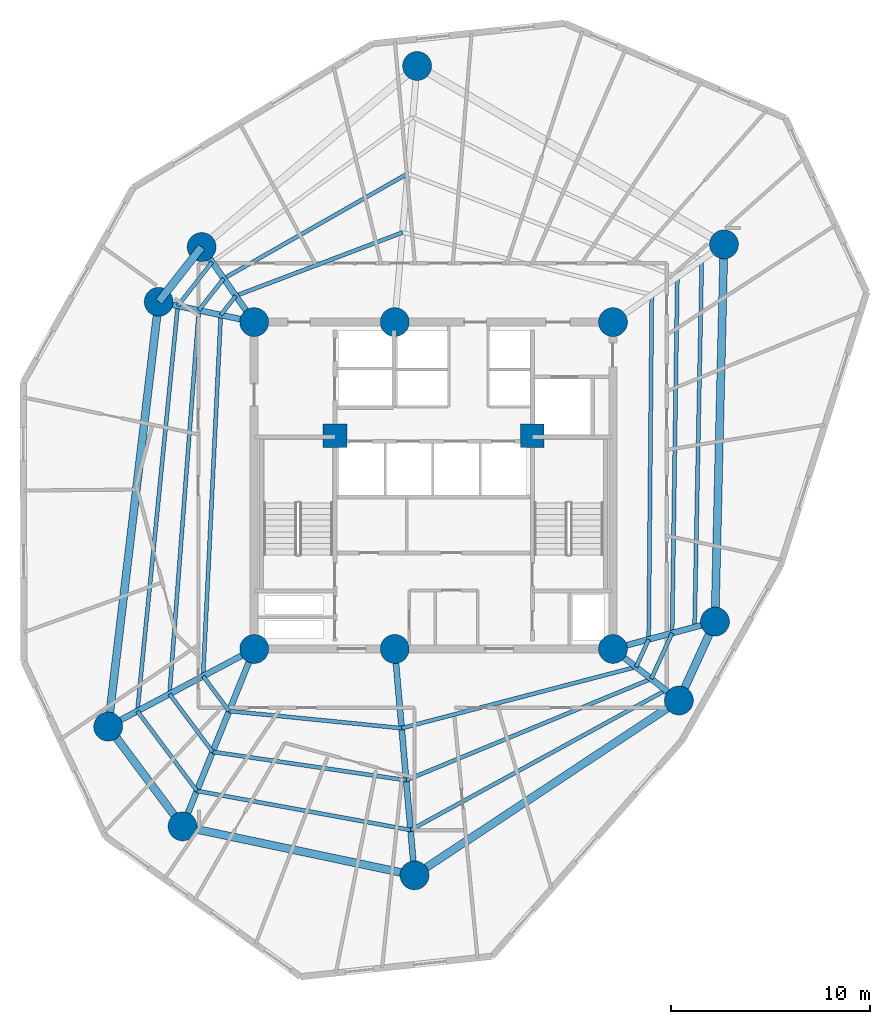
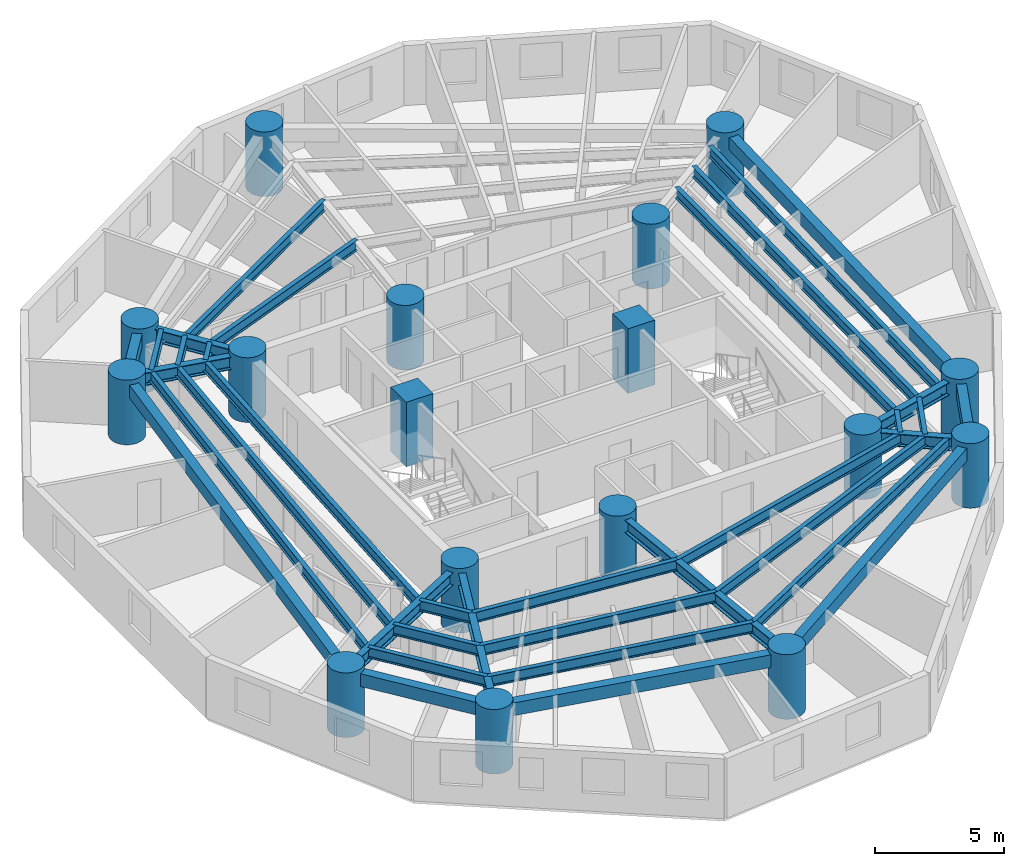
# One storey, part 1 of 8: 36 beams, 17 columns.
"""IFC4 building model written with IfcOpenShell, lengths in metres."""

from ifc_helpers import new_model, si_unit, direction, frame, origin, origin_with_axes, origin_2d, place, context, subcontext, project, spatial, rectangle, circle, i_section, extrude, source, transform, mapped, material, material_profile, profile_set, type_object, element, save


model = new_model("IFC4")

# Units and contexts
model_context = context("Model", 3, precision=1e-05, world=origin(), true_north=direction((0.0, 1.0)))
body_context = subcontext(model_context, "Body", "Model", "MODEL_VIEW")
ifc_project = project(units=[si_unit("LENGTHUNIT", "METRE"), si_unit("AREAUNIT", "SQUARE_METRE"), si_unit("VOLUMEUNIT", "CUBIC_METRE"), si_unit("PLANEANGLEUNIT", "RADIAN"), si_unit("MASSUNIT", "GRAM", prefix="KILO")], contexts=[model_context])

# Site, building, storey
site_placement = place(None, origin())
site = spatial("IfcSite", under=ifc_project, at=site_placement, CompositionType="ELEMENT")
building_placement = place(site_placement, origin())
building = spatial("IfcBuilding", under=site, at=building_placement, Name="Karkom Vertical University and Central Library", CompositionType="ELEMENT")
storey_placement = place(building_placement, frame((0.0, 0.0, 114.5)))
storey = spatial("IfcBuildingStorey", under=building, at=storey_placement, Name="L31", CompositionType="ELEMENT", Elevation=114.5)

# Columns
ifc_material_1 = material(Name="Concrete C50/60", Category="concrete")
ifc_material_profile_1 = material_profile(ifc_material_1, circle(Radius=0.72509765625, at=origin_2d()), Name="CFT-D1450")
ifc_profile_set_1 = profile_set([ifc_material_profile_1], Name="Concrete C50/60")
column_type_1 = type_object("IfcColumnType", Name="STR-COL-C-SC3", PredefinedType="COLUMN", material=ifc_profile_set_1)
shared_shape_1 = source(origin_with_axes(), body_context, "Body", "SweptSolid", [
    extrude(circle(Radius=0.72509765625, at=origin_2d()), origin(), (0.0, 0.0, 1.0), 3.050048828125),
])
for number, where, z_axis, x_axis, name in (
    (1, (19.5, 18.300048828125, 0.0), (0.0, 0.0, 1.0), (1.0, 0.0, 0.0), "Level 31 Spine Mega-Column SC-1"),
    (2, (26.550048828125, 18.300048828125, 0.0), (0.0, 0.0, 1.0), (1.0, 0.0, 0.0), "Level 31 Spine Mega-Column SC-2"),
    (3, (37.5, 18.300048828125, 0.0), (0.0, 0.0, 1.0), (1.0, 0.0, 0.0), "Level 31 Spine Mega-Column SC-3"),
    (4, (19.5, 34.699951171875, 0.0), (0.0, 0.0, 1.0), (1.0, 0.0, 0.0), "Level 31 Spine Mega-Column SC-4"),
    (5, (26.550048828125, 34.699951171875, 0.0), (0.0, 0.0, 1.0), (1.0, 0.0, 0.0), "Level 31 Spine Mega-Column SC-5"),
    (6, (37.5, 34.699951171875, 0.0), (0.0, 0.0, 1.0), (1.0, 0.0, 0.0), "Level 31 Spine Mega-Column SC-6"),
    (7, (42.618896484375, 19.672119140625, 0.0), (0.0, 0.0, 1.0), (1.0, 0.0, 0.0), "Level 31 Perimeter Mega-Column Z2-PC1"),
    (8, (43.070068359375, 38.60009765625, 0.0), (0.0, 0.0, 1.0), (1.0, 0.0, 0.0), "Level 31 Perimeter Mega-Column Z2-PC2"),
    (9, (27.674072265625, 47.551025390625, 0.0), (0.0, 0.0, 1.0), (1.0, 0.0, 0.0), "Level 31 Perimeter Mega-Column Z2-PC3"),
    (10, (16.862060546875, 38.468017578125, 0.0), (0.0, 0.0, 1.0), (1.0, 0.0, 0.0), "Level 31 Perimeter Mega-Column Z2-PC4"),
    (11, (14.70703125, 35.718994140625, 0.0), (0.0, 0.0, 1.0), (1.0, 0.0, 0.0), "Level 31 Perimeter Mega-Column Z2-PC5"),
    (12, (12.172119140625, 14.403076171875, 0.0), (0.0, 0.0, 1.0), (1.0, 0.0, 0.0), "Level 31 Perimeter Mega-Column Z2-PC6"),
    (13, (15.904052734375, 9.39892578125, 0.0), (0.0, 0.0, 1.0), (1.0, 0.0, 0.0), "Level 31 Perimeter Mega-Column Z2-PC7"),
    (14, (27.5439453125, 6.943115234375, 0.0), (0.0, 0.0, 1.0), (1.0, 0.0, 0.0), "Level 31 Perimeter Mega-Column Z2-PC8"),
    (15, (40.81005859375, 15.714111328125, 0.0), (0.0, 0.0, 1.0), (1.0, 0.0, 0.0), "Level 31 Perimeter Mega-Column Z2-PC9"),
):
    element("IfcColumn", number, at=place(storey_placement, frame(where, z_axis=z_axis, x_axis=x_axis)), inside=storey, type_object=column_type_1, Name=name, PredefinedType="COLUMN", context=body_context, shape_type="MappedRepresentation", body=[
        mapped(shared_shape_1, transform((0.0, 0.0, 0.0), scale=1.0)),
    ])
ifc_material_profile_2 = material_profile(ifc_material_1, rectangle(XDim=1.199951171875, YDim=1.199951171875, at=origin_2d()), Name="RC-1200x1200")
ifc_profile_set_2 = profile_set([ifc_material_profile_2], Name="Concrete C50/60")
column_type_2 = type_object("IfcColumnType", Name="STR-COL-C-CC1", PredefinedType="COLUMN", material=ifc_profile_set_2)
shared_shape_2 = source(origin_with_axes(), body_context, "Body", "SweptSolid", [
    extrude(rectangle(XDim=1.199951171875, YDim=1.199951171875, at=origin_2d()), origin(), (0.0, 0.0, 1.0), 3.050048828125),
])
for number, where, z_axis, x_axis, name in (
    (16, (23.550048828125, 29.0, 0.0), (0.0, 0.0, 1.0), (1.0, 0.0, 0.0), "Level 31 Core Node Column CC-1"),
    (17, (33.449951171875, 29.0, 0.0), (0.0, 0.0, 1.0), (1.0, 0.0, 0.0), "Level 31 Core Node Column CC-2"),
):
    element("IfcColumn", number, at=place(storey_placement, frame(where, z_axis=z_axis, x_axis=x_axis)), inside=storey, type_object=column_type_2, Name=name, PredefinedType="COLUMN", context=body_context, shape_type="MappedRepresentation", body=[
        mapped(shared_shape_2, transform((0.0, 0.0, 0.0), scale=1.0)),
    ])

# Beams
ifc_material_2 = material(Name="Precast concrete C45/55", Category="concrete")
ifc_material_profile_3 = material_profile(ifc_material_2, rectangle(XDim=0.39990234375, YDim=0.60009765625, at=origin_2d()), Name="SPB-400x600")
ifc_profile_set_3 = profile_set([ifc_material_profile_3], Name="Precast concrete C45/55")
beam_type_1 = type_object("IfcBeamType", Name="STR-BM-SP-1", PredefinedType="SPANDREL", material=ifc_profile_set_3)
shared_shape_3 = source(origin_with_axes(), body_context, "Body", "SweptSolid", [
    extrude(rectangle(XDim=0.39990234375, YDim=0.60009765625, at=origin_2d()), origin(), (0.0, 0.0, 1.0), 18.933349609375),
])
beam_1_placement = place(storey_placement, frame((42.618896484375, 19.672119140625, 2.52490234375), z_axis=(0.02382947333, 0.999716037783, 0.0), x_axis=(-0.999716037783, 0.02382947333, 0.0)))
element("IfcBeam", 18, at=beam_1_placement, inside=storey, type_object=beam_type_1, Name="Level 31 Perimeter Spandrel Beam 01", PredefinedType="SPANDREL", context=body_context, shape_type="MappedRepresentation", body=[
    mapped(shared_shape_3, transform((0.0, 0.0, 0.0), scale=1.0)),
])
shared_shape_4 = source(origin_with_axes(), body_context, "Body", "SweptSolid", [
    extrude(rectangle(XDim=0.39990234375, YDim=0.60009765625, at=origin_2d()), origin(), (0.0, 0.0, 1.0), 3.492919921875),
])
beam_2_placement = place(storey_placement, frame((16.862060546875, 38.468017578125, 2.52490234375), z_axis=(-0.616950700538, -0.787001799938, 0.0), x_axis=(0.787001799938, -0.616950700538, 0.0)))
element("IfcBeam", 19, at=beam_2_placement, inside=storey, type_object=beam_type_1, Name="Level 31 Perimeter Spandrel Beam 04", PredefinedType="SPANDREL", context=body_context, shape_type="MappedRepresentation", body=[
    mapped(shared_shape_4, transform((0.0, 0.0, 0.0), scale=1.0)),
])
shared_shape_5 = source(origin_with_axes(), body_context, "Body", "SweptSolid", [
    extrude(rectangle(XDim=0.39990234375, YDim=0.60009765625, at=origin_2d()), origin(), (0.0, 0.0, 1.0), 21.466064453125),
])
beam_3_placement = place(storey_placement, frame((14.70703125, 35.718994140625, 2.52490234375), z_axis=(-0.118088996795, -0.993003015522, 0.0), x_axis=(0.993003015522, -0.118088996795, 0.0)))
element("IfcBeam", 20, at=beam_3_placement, inside=storey, type_object=beam_type_1, Name="Level 31 Perimeter Spandrel Beam 05", PredefinedType="SPANDREL", context=body_context, shape_type="MappedRepresentation", body=[
    mapped(shared_shape_5, transform((0.0, 0.0, 0.0), scale=1.0)),
])
shared_shape_6 = source(origin_with_axes(), body_context, "Body", "SweptSolid", [
    extrude(rectangle(XDim=0.39990234375, YDim=0.60009765625, at=origin_2d()), origin(), (0.0, 0.0, 1.0), 6.242431640625),
])
beam_4_placement = place(storey_placement, frame((12.172119140625, 14.403076171875, 2.52490234375), z_axis=(0.59782643552, -0.801625569074, 0.0), x_axis=(0.801625569074, 0.59782643552, 0.0)))
element("IfcBeam", 21, at=beam_4_placement, inside=storey, type_object=beam_type_1, Name="Level 31 Perimeter Spandrel Beam 06", PredefinedType="SPANDREL", context=body_context, shape_type="MappedRepresentation", body=[
    mapped(shared_shape_6, transform((0.0, 0.0, 0.0), scale=1.0)),
])
shared_shape_7 = source(origin_with_axes(), body_context, "Body", "SweptSolid", [
    extrude(rectangle(XDim=0.39990234375, YDim=0.60009765625, at=origin_2d()), origin(), (0.0, 0.0, 1.0), 11.896240234375),
])
beam_5_placement = place(storey_placement, frame((15.904052734375, 9.39892578125, 2.52490234375), z_axis=(0.978459762135, -0.206437627101, 0.0), x_axis=(0.206437627101, 0.978459762135, 0.0)))
element("IfcBeam", 22, at=beam_5_placement, inside=storey, type_object=beam_type_1, Name="Level 31 Perimeter Spandrel Beam 07", PredefinedType="SPANDREL", context=body_context, shape_type="MappedRepresentation", body=[
    mapped(shared_shape_7, transform((0.0, 0.0, 0.0), scale=1.0)),
])
shared_shape_8 = source(origin_with_axes(), body_context, "Body", "SweptSolid", [
    extrude(rectangle(XDim=0.39990234375, YDim=0.60009765625, at=origin_2d()), origin(), (0.0, 0.0, 1.0), 15.903564453125),
])
beam_6_placement = place(storey_placement, frame((27.5439453125, 6.943115234375, 2.52490234375), z_axis=(0.834165069331, 0.551514856652, 0.0), x_axis=(-0.551514856652, 0.834165069331, 0.0)))
element("IfcBeam", 23, at=beam_6_placement, inside=storey, type_object=beam_type_1, Name="Level 31 Perimeter Spandrel Beam 08", PredefinedType="SPANDREL", context=body_context, shape_type="MappedRepresentation", body=[
    mapped(shared_shape_8, transform((0.0, 0.0, 0.0), scale=1.0)),
])
shared_shape_9 = source(origin_with_axes(), body_context, "Body", "SweptSolid", [
    extrude(rectangle(XDim=0.39990234375, YDim=0.60009765625, at=origin_2d()), origin(), (0.0, 0.0, 1.0), 4.351806640625),
])
beam_7_placement = place(storey_placement, frame((40.81005859375, 15.714111328125, 2.52490234375), z_axis=(0.415657668422, 0.909521139217, 0.0), x_axis=(-0.909521139217, 0.415657668422, 0.0)))
element("IfcBeam", 24, at=beam_7_placement, inside=storey, type_object=beam_type_1, Name="Level 31 Perimeter Spandrel Beam 09", PredefinedType="SPANDREL", context=body_context, shape_type="MappedRepresentation", body=[
    mapped(shared_shape_9, transform((0.0, 0.0, 0.0), scale=1.0)),
])
ifc_material_3 = material(Name="Steel S355", Category="steel")
ifc_material_profile_4 = material_profile(ifc_material_3, i_section(OverallWidth=0.199951171875, OverallDepth=0.5, WebThickness=0.01025390625, FlangeThickness=0.01611328125, FilletRadius=0.02099609375, at=origin_2d()), Name="IPE 500")
ifc_profile_set_4 = profile_set([ifc_material_profile_4], Name="Steel S355")
beam_type_2 = type_object("IfcBeamType", Name="STR-BM-SB-IPE500", PredefinedType="BEAM", material=ifc_profile_set_4)
shared_shape_10 = source(origin_with_axes(), body_context, "Body", "SweptSolid", [
    extrude(i_section(OverallWidth=0.199951171875, OverallDepth=0.5, WebThickness=0.01025390625, FlangeThickness=0.01611328125, FilletRadius=0.02099609375, at=origin_2d()), origin(), (0.0, 0.0, 1.0), 17.285400390625),
])
beam_8_placement = place(storey_placement, frame((39.29150390625, 18.7802734375, 2.574951171875), z_axis=(0.009138294648, 0.999958244914, 0.0), x_axis=(-0.999958244914, 0.009138294648, 0.0)))
element("IfcBeam", 25, at=beam_8_placement, inside=storey, type_object=beam_type_2, Name="Level 31 Secondary Composite Floor Beam 1.01", PredefinedType="BEAM", context=body_context, shape_type="MappedRepresentation", body=[
    mapped(shared_shape_10, transform((0.0, 0.0, 0.0), scale=1.0)),
])
shared_shape_11 = source(origin_with_axes(), body_context, "Body", "SweptSolid", [
    extrude(i_section(OverallWidth=0.199951171875, OverallDepth=0.5, WebThickness=0.01025390625, FlangeThickness=0.01611328125, FilletRadius=0.02099609375, at=origin_2d()), origin(), (0.0, 0.0, 1.0), 8.950439453125),
])
beam_9_placement = place(storey_placement, frame((26.943359375, 39.197998046875, 2.574951171875), z_axis=(-0.93478901494, -0.355203459368, 0.0), x_axis=(0.355203459368, -0.93478901494, 0.0)))
element("IfcBeam", 26, at=beam_9_placement, inside=storey, type_object=beam_type_2, Name="Level 31 Secondary Composite Floor Beam 1.03", PredefinedType="BEAM", context=body_context, shape_type="MappedRepresentation", body=[
    mapped(shared_shape_11, transform((0.0, 0.0, 0.0), scale=1.0)),
])
shared_shape_12 = source(origin_with_axes(), body_context, "Body", "SweptSolid", [
    extrude(i_section(OverallWidth=0.199951171875, OverallDepth=0.5, WebThickness=0.01025390625, FlangeThickness=0.01611328125, FilletRadius=0.02099609375, at=origin_2d()), origin(), (0.0, 0.0, 1.0), 1.222412109375),
])
beam_10_placement = place(storey_placement, frame((18.57666015625, 36.018798828125, 2.574951171875), z_axis=(-0.616895037184, -0.787045432677, 0.0), x_axis=(0.787045432677, -0.616895037184, 0.0)))
element("IfcBeam", 27, at=beam_10_placement, inside=storey, type_object=beam_type_2, Name="Level 31 Secondary Composite Floor Beam 1.04", PredefinedType="BEAM", context=body_context, shape_type="MappedRepresentation", body=[
    mapped(shared_shape_12, transform((0.0, 0.0, 0.0), scale=1.0)),
])
shared_shape_13 = source(origin_with_axes(), body_context, "Body", "SweptSolid", [
    extrude(i_section(OverallWidth=0.199951171875, OverallDepth=0.5, WebThickness=0.01025390625, FlangeThickness=0.01611328125, FilletRadius=0.02099609375, at=origin_2d()), origin(), (0.0, 0.0, 1.0), 18.142333984375),
])
beam_11_placement = place(storey_placement, frame((17.822509765625, 35.056640625, 2.574951171875), z_axis=(-0.048902644774, -0.998803549921, 0.0), x_axis=(0.998803549921, -0.048902644774, 0.0)))
element("IfcBeam", 28, at=beam_11_placement, inside=storey, type_object=beam_type_2, Name="Level 31 Secondary Composite Floor Beam 1.05", PredefinedType="BEAM", context=body_context, shape_type="MappedRepresentation", body=[
    mapped(shared_shape_13, transform((0.0, 0.0, 0.0), scale=1.0)),
])
shared_shape_14 = source(origin_with_axes(), body_context, "Body", "SweptSolid", [
    extrude(i_section(OverallWidth=0.199951171875, OverallDepth=0.5, WebThickness=0.01025390625, FlangeThickness=0.01611328125, FilletRadius=0.02099609375, at=origin_2d()), origin(), (0.0, 0.0, 1.0), 2.1845703125),
])
beam_12_placement = place(storey_placement, frame((16.935302734375, 16.93603515625, 2.574951171875), z_axis=(0.597870130664, -0.801592980795, 0.0), x_axis=(0.801592980795, 0.597870130664, 0.0)))
element("IfcBeam", 29, at=beam_12_placement, inside=storey, type_object=beam_type_2, Name="Level 31 Secondary Composite Floor Beam 1.06", PredefinedType="BEAM", context=body_context, shape_type="MappedRepresentation", body=[
    mapped(shared_shape_14, transform((0.0, 0.0, 0.0), scale=1.0)),
])
shared_shape_15 = source(origin_with_axes(), body_context, "Body", "SweptSolid", [
    extrude(i_section(OverallWidth=0.199951171875, OverallDepth=0.5, WebThickness=0.01025390625, FlangeThickness=0.01611328125, FilletRadius=0.02099609375, at=origin_2d()), origin(), (0.0, 0.0, 1.0), 8.698974609375),
])
beam_13_placement = place(storey_placement, frame((18.241455078125, 15.184814453125, 2.574951171875), z_axis=(0.995105588045, -0.098817349903, 0.0), x_axis=(0.098817349903, 0.995105588045, 0.0)))
element("IfcBeam", 30, at=beam_13_placement, inside=storey, type_object=beam_type_2, Name="Level 31 Secondary Composite Floor Beam 1.07", PredefinedType="BEAM", context=body_context, shape_type="MappedRepresentation", body=[
    mapped(shared_shape_15, transform((0.0, 0.0, 0.0), scale=1.0)),
])
shared_shape_16 = source(origin_with_axes(), body_context, "Body", "SweptSolid", [
    extrude(i_section(OverallWidth=0.199951171875, OverallDepth=0.5, WebThickness=0.01025390625, FlangeThickness=0.01611328125, FilletRadius=0.02099609375, at=origin_2d()), origin(), (0.0, 0.0, 1.0), 12.154541015625),
])
beam_14_placement = place(storey_placement, frame((26.89794921875, 14.3251953125, 2.574951171875), z_axis=(0.967579719768, 0.252565805077, 0.0), x_axis=(-0.252565805077, 0.967579719768, 0.0)))
element("IfcBeam", 31, at=beam_14_placement, inside=storey, type_object=beam_type_2, Name="Level 31 Secondary Composite Floor Beam 1.08", PredefinedType="BEAM", context=body_context, shape_type="MappedRepresentation", body=[
    mapped(shared_shape_16, transform((0.0, 0.0, 0.0), scale=1.0)),
])
shared_shape_17 = source(origin_with_axes(), body_context, "Body", "SweptSolid", [
    extrude(i_section(OverallWidth=0.199951171875, OverallDepth=0.5, WebThickness=0.01025390625, FlangeThickness=0.01611328125, FilletRadius=0.02099609375, at=origin_2d()), origin(), (0.0, 0.0, 1.0), 1.52294921875),
])
beam_15_placement = place(storey_placement, frame((38.658447265625, 17.39501953125, 2.574951171875), z_axis=(0.415649898107, 0.909524690266, 0.0), x_axis=(-0.909524690266, 0.415649898107, 0.0)))
element("IfcBeam", 32, at=beam_15_placement, inside=storey, type_object=beam_type_2, Name="Level 31 Secondary Composite Floor Beam 1.09", PredefinedType="BEAM", context=body_context, shape_type="MappedRepresentation", body=[
    mapped(shared_shape_17, transform((0.0, 0.0, 0.0), scale=1.0)),
])
shared_shape_18 = source(origin_with_axes(), body_context, "Body", "SweptSolid", [
    extrude(i_section(OverallWidth=0.199951171875, OverallDepth=0.5, WebThickness=0.01025390625, FlangeThickness=0.01611328125, FilletRadius=0.02099609375, at=origin_2d()), origin(), (0.0, 0.0, 1.0), 17.8681640625),
])
beam_16_placement = place(storey_placement, frame((40.468994140625, 19.095703125, 2.574951171875), z_axis=(0.014647239676, 0.999892723431, 0.0), x_axis=(-0.999892723431, 0.014647239676, 0.0)))
element("IfcBeam", 33, at=beam_16_placement, inside=storey, type_object=beam_type_2, Name="Level 31 Secondary Composite Floor Beam 2.01", PredefinedType="BEAM", context=body_context, shape_type="MappedRepresentation", body=[
    mapped(shared_shape_18, transform((0.0, 0.0, 0.0), scale=1.0)),
])
shared_shape_19 = source(origin_with_axes(), body_context, "Body", "SweptSolid", [
    extrude(i_section(OverallWidth=0.199951171875, OverallDepth=0.5, WebThickness=0.01025390625, FlangeThickness=0.01611328125, FilletRadius=0.02099609375, at=origin_2d()), origin(), (0.0, 0.0, 1.0), 10.629150390625),
])
beam_17_placement = place(storey_placement, frame((27.201904296875, 42.153564453125, 2.574951171875), z_axis=(-0.868539813491, -0.495619402748, 0.0), x_axis=(0.495619402748, -0.868539813491, 0.0)))
element("IfcBeam", 34, at=beam_17_placement, inside=storey, type_object=beam_type_2, Name="Level 31 Secondary Composite Floor Beam 2.03", PredefinedType="BEAM", context=body_context, shape_type="MappedRepresentation", body=[
    mapped(shared_shape_19, transform((0.0, 0.0, 0.0), scale=1.0)),
])
shared_shape_20 = source(origin_with_axes(), body_context, "Body", "SweptSolid", [
    extrude(i_section(OverallWidth=0.199951171875, OverallDepth=0.5, WebThickness=0.01025390625, FlangeThickness=0.01611328125, FilletRadius=0.02099609375, at=origin_2d()), origin(), (0.0, 0.0, 1.0), 2.02587890625),
])
beam_18_placement = place(storey_placement, frame((17.969970703125, 36.885498046875, 2.574951171875), z_axis=(-0.616889733535, -0.787049589708, 0.0), x_axis=(0.787049589708, -0.616889733535, 0.0)))
element("IfcBeam", 35, at=beam_18_placement, inside=storey, type_object=beam_type_2, Name="Level 31 Secondary Composite Floor Beam 2.04", PredefinedType="BEAM", context=body_context, shape_type="MappedRepresentation", body=[
    mapped(shared_shape_20, transform((0.0, 0.0, 0.0), scale=1.0)),
])
shared_shape_21 = source(origin_with_axes(), body_context, "Body", "SweptSolid", [
    extrude(i_section(OverallWidth=0.199951171875, OverallDepth=0.5, WebThickness=0.01025390625, FlangeThickness=0.01611328125, FilletRadius=0.02099609375, at=origin_2d()), origin(), (0.0, 0.0, 1.0), 19.307373046875),
])
beam_19_placement = place(storey_placement, frame((16.72021484375, 35.291015625, 2.574951171875), z_axis=(-0.07616078645, -0.997095549387, 0.0), x_axis=(0.997095549387, -0.07616078645, 0.0)))
element("IfcBeam", 36, at=beam_19_placement, inside=storey, type_object=beam_type_2, Name="Level 31 Secondary Composite Floor Beam 2.05", PredefinedType="BEAM", context=body_context, shape_type="MappedRepresentation", body=[
    mapped(shared_shape_21, transform((0.0, 0.0, 0.0), scale=1.0)),
])
shared_shape_22 = source(origin_with_axes(), body_context, "Body", "SweptSolid", [
    extrude(i_section(OverallWidth=0.199951171875, OverallDepth=0.5, WebThickness=0.01025390625, FlangeThickness=0.01611328125, FilletRadius=0.02099609375, at=origin_2d()), origin(), (0.0, 0.0, 1.0), 3.62060546875),
])
beam_20_placement = place(storey_placement, frame((15.249755859375, 16.039794921875, 2.574951171875), z_axis=(0.59784003707, -0.801615425298, 0.0), x_axis=(0.801615425298, 0.59784003707, 0.0)))
element("IfcBeam", 37, at=beam_20_placement, inside=storey, type_object=beam_type_2, Name="Level 31 Secondary Composite Floor Beam 2.06", PredefinedType="BEAM", context=body_context, shape_type="MappedRepresentation", body=[
    mapped(shared_shape_22, transform((0.0, 0.0, 0.0), scale=1.0)),
])
shared_shape_23 = source(origin_with_axes(), body_context, "Body", "SweptSolid", [
    extrude(i_section(OverallWidth=0.199951171875, OverallDepth=0.5, WebThickness=0.01025390625, FlangeThickness=0.01611328125, FilletRadius=0.02099609375, at=origin_2d()), origin(), (0.0, 0.0, 1.0), 9.816162109375),
])
beam_21_placement = place(storey_placement, frame((17.414306640625, 13.137451171875, 2.574951171875), z_axis=(0.989413295367, -0.145125225069, 0.0), x_axis=(0.145125225069, 0.989413295367, 0.0)))
element("IfcBeam", 38, at=beam_21_placement, inside=storey, type_object=beam_type_2, Name="Level 31 Secondary Composite Floor Beam 2.07", PredefinedType="BEAM", context=body_context, shape_type="MappedRepresentation", body=[
    mapped(shared_shape_23, transform((0.0, 0.0, 0.0), scale=1.0)),
])
shared_shape_24 = source(origin_with_axes(), body_context, "Body", "SweptSolid", [
    extrude(i_section(OverallWidth=0.199951171875, OverallDepth=0.5, WebThickness=0.01025390625, FlangeThickness=0.01611328125, FilletRadius=0.02099609375, at=origin_2d()), origin(), (0.0, 0.0, 1.0), 13.304443359375),
])
beam_22_placement = place(storey_placement, frame((27.12646484375, 11.712890625, 2.574951171875), z_axis=(0.924011243398, 0.382365299255, 0.0), x_axis=(-0.382365299255, 0.924011243398, 0.0)))
element("IfcBeam", 39, at=beam_22_placement, inside=storey, type_object=beam_type_2, Name="Level 31 Secondary Composite Floor Beam 2.08", PredefinedType="BEAM", context=body_context, shape_type="MappedRepresentation", body=[
    mapped(shared_shape_24, transform((0.0, 0.0, 0.0), scale=1.0)),
])
shared_shape_25 = source(origin_with_axes(), body_context, "Body", "SweptSolid", [
    extrude(i_section(OverallWidth=0.199951171875, OverallDepth=0.5, WebThickness=0.01025390625, FlangeThickness=0.01611328125, FilletRadius=0.02099609375, at=origin_2d()), origin(), (0.0, 0.0, 1.0), 2.52392578125),
])
beam_23_placement = place(storey_placement, frame((39.419921875, 16.800048828125, 2.574951171875), z_axis=(0.415638602127, 0.909529852408, 0.0), x_axis=(-0.909529852408, 0.415638602127, 0.0)))
element("IfcBeam", 40, at=beam_23_placement, inside=storey, type_object=beam_type_2, Name="Level 31 Secondary Composite Floor Beam 2.09", PredefinedType="BEAM", context=body_context, shape_type="MappedRepresentation", body=[
    mapped(shared_shape_25, transform((0.0, 0.0, 0.0), scale=1.0)),
])
shared_shape_26 = source(origin_with_axes(), body_context, "Body", "SweptSolid", [
    extrude(i_section(OverallWidth=0.199951171875, OverallDepth=0.5, WebThickness=0.01025390625, FlangeThickness=0.01611328125, FilletRadius=0.02099609375, at=origin_2d()), origin(), (0.0, 0.0, 1.0), 18.42578125),
])
beam_24_placement = place(storey_placement, frame((41.59521484375, 19.397705078125, 2.574951171875), z_axis=(0.019583298818, 0.999808228816, 0.0), x_axis=(-0.999808228816, 0.019583298818, 0.0)))
element("IfcBeam", 41, at=beam_24_placement, inside=storey, type_object=beam_type_2, Name="Level 31 Secondary Composite Floor Beam 3.01", PredefinedType="BEAM", context=body_context, shape_type="MappedRepresentation", body=[
    mapped(shared_shape_26, transform((0.0, 0.0, 0.0), scale=1.0)),
])
shared_shape_27 = source(origin_with_axes(), body_context, "Body", "SweptSolid", [
    extrude(i_section(OverallWidth=0.199951171875, OverallDepth=0.5, WebThickness=0.01025390625, FlangeThickness=0.01611328125, FilletRadius=0.02099609375, at=origin_2d()), origin(), (0.0, 0.0, 1.0), 2.79443359375),
])
beam_25_placement = place(storey_placement, frame((17.3896484375, 37.71435546875, 2.574951171875), z_axis=(-0.616972344898, -0.786984831894, 0.0), x_axis=(0.786984831894, -0.616972344898, 0.0)))
element("IfcBeam", 42, at=beam_25_placement, inside=storey, type_object=beam_type_2, Name="Level 31 Secondary Composite Floor Beam 3.04", PredefinedType="BEAM", context=body_context, shape_type="MappedRepresentation", body=[
    mapped(shared_shape_27, transform((0.0, 0.0, 0.0), scale=1.0)),
])
shared_shape_28 = source(origin_with_axes(), body_context, "Body", "SweptSolid", [
    extrude(i_section(OverallWidth=0.199951171875, OverallDepth=0.5, WebThickness=0.01025390625, FlangeThickness=0.01611328125, FilletRadius=0.02099609375, at=origin_2d()), origin(), (0.0, 0.0, 1.0), 20.43359375),
])
beam_26_placement = place(storey_placement, frame((15.66552734375, 35.51513671875, 2.574951171875), z_axis=(-0.099239913611, -0.995063535432, 0.0), x_axis=(0.995063535432, -0.099239913611, 0.0)))
element("IfcBeam", 43, at=beam_26_placement, inside=storey, type_object=beam_type_2, Name="Level 31 Secondary Composite Floor Beam 3.05", PredefinedType="BEAM", context=body_context, shape_type="MappedRepresentation", body=[
    mapped(shared_shape_28, transform((0.0, 0.0, 0.0), scale=1.0)),
])
shared_shape_29 = source(origin_with_axes(), body_context, "Body", "SweptSolid", [
    extrude(i_section(OverallWidth=0.199951171875, OverallDepth=0.5, WebThickness=0.01025390625, FlangeThickness=0.01611328125, FilletRadius=0.02099609375, at=origin_2d()), origin(), (0.0, 0.0, 1.0), 4.993896484375),
])
beam_27_placement = place(storey_placement, frame((13.6376953125, 15.182373046875, 2.574951171875), z_axis=(0.597846775537, -0.801610399745, 0.0), x_axis=(0.801610399745, 0.597846775537, 0.0)))
element("IfcBeam", 44, at=beam_27_placement, inside=storey, type_object=beam_type_2, Name="Level 31 Secondary Composite Floor Beam 3.06", PredefinedType="BEAM", context=body_context, shape_type="MappedRepresentation", body=[
    mapped(shared_shape_29, transform((0.0, 0.0, 0.0), scale=1.0)),
])
shared_shape_30 = source(origin_with_axes(), body_context, "Body", "SweptSolid", [
    extrude(i_section(OverallWidth=0.199951171875, OverallDepth=0.5, WebThickness=0.01025390625, FlangeThickness=0.01611328125, FilletRadius=0.02099609375, at=origin_2d()), origin(), (0.0, 0.0, 1.0), 10.900390625),
])
beam_28_placement = place(storey_placement, frame((16.623291015625, 11.17919921875, 2.574951171875), z_axis=(0.98362026014, -0.180253110495, 0.0), x_axis=(0.180253110495, 0.98362026014, 0.0)))
element("IfcBeam", 45, at=beam_28_placement, inside=storey, type_object=beam_type_2, Name="Level 31 Secondary Composite Floor Beam 3.07", PredefinedType="BEAM", context=body_context, shape_type="MappedRepresentation", body=[
    mapped(shared_shape_30, transform((0.0, 0.0, 0.0), scale=1.0)),
])
shared_shape_31 = source(origin_with_axes(), body_context, "Body", "SweptSolid", [
    extrude(i_section(OverallWidth=0.199951171875, OverallDepth=0.5, WebThickness=0.01025390625, FlangeThickness=0.01611328125, FilletRadius=0.02099609375, at=origin_2d()), origin(), (0.0, 0.0, 1.0), 14.599609375),
])
beam_29_placement = place(storey_placement, frame((27.34521484375, 9.21435546875, 2.574951171875), z_axis=(0.876928143127, 0.480621505752, 0.0), x_axis=(-0.480621505752, 0.876928143127, 0.0)))
element("IfcBeam", 46, at=beam_29_placement, inside=storey, type_object=beam_type_2, Name="Level 31 Secondary Composite Floor Beam 3.08", PredefinedType="BEAM", context=body_context, shape_type="MappedRepresentation", body=[
    mapped(shared_shape_31, transform((0.0, 0.0, 0.0), scale=1.0)),
])
ifc_material_profile_5 = material_profile(ifc_material_3, i_section(OverallWidth=0.300048828125, OverallDepth=0.60009765625, WebThickness=0.015380859375, FlangeThickness=0.030029296875, FilletRadius=0.027099609375, at=origin_2d()), Name="HE 600 B")
ifc_profile_set_5 = profile_set([ifc_material_profile_5], Name="Steel S355")
beam_type_3 = type_object("IfcBeamType", Name="STR-BM-SB-HE600", PredefinedType="USERDEFINED", material=ifc_profile_set_5)
shared_shape_32 = source(origin_with_axes(), body_context, "Body", "SweptSolid", [
    extrude(i_section(OverallWidth=0.300048828125, OverallDepth=0.60009765625, WebThickness=0.015380859375, FlangeThickness=0.030029296875, FilletRadius=0.027099609375, at=origin_2d()), origin(), (0.0, 0.0, 1.0), 5.299560546875),
])
beam_30_placement = place(storey_placement, frame((37.5, 18.300048828125, 2.52490234375), z_axis=(0.965903833688, 0.258901108663, 0.0), x_axis=(-0.258901108663, 0.965903833688, 0.0)))
element("IfcBeam", 47, at=beam_30_placement, inside=storey, type_object=beam_type_3, Name="Level 31 Radial Frame Girder 01", ObjectType="GIRDER", PredefinedType="USERDEFINED", context=body_context, shape_type="MappedRepresentation", body=[
    mapped(shared_shape_32, transform((0.0, 0.0, 0.0), scale=1.0)),
])
shared_shape_33 = source(origin_with_axes(), body_context, "Body", "SweptSolid", [
    extrude(i_section(OverallWidth=0.300048828125, OverallDepth=0.60009765625, WebThickness=0.015380859375, FlangeThickness=0.030029296875, FilletRadius=0.027099609375, at=origin_2d()), origin(), (0.0, 0.0, 1.0), 4.599609375),
])
beam_31_placement = place(storey_placement, frame((19.5, 34.699951171875, 2.52490234375), z_axis=(-0.573505090764, 0.819201996377, 0.0), x_axis=(-0.819201996377, -0.573505090764, 0.0)))
element("IfcBeam", 48, at=beam_31_placement, inside=storey, type_object=beam_type_3, Name="Level 31 Radial Frame Girder 04", ObjectType="GIRDER", PredefinedType="USERDEFINED", context=body_context, shape_type="MappedRepresentation", body=[
    mapped(shared_shape_33, transform((0.0, 0.0, 0.0), scale=1.0)),
])
shared_shape_34 = source(origin_with_axes(), body_context, "Body", "SweptSolid", [
    extrude(i_section(OverallWidth=0.300048828125, OverallDepth=0.60009765625, WebThickness=0.015380859375, FlangeThickness=0.030029296875, FilletRadius=0.027099609375, at=origin_2d()), origin(), (0.0, 0.0, 1.0), 4.900146484375),
])
beam_32_placement = place(storey_placement, frame((19.5, 34.699951171875, 2.52490234375), z_axis=(-0.978136559131, 0.207963630695, 0.0), x_axis=(-0.207963630695, -0.978136559131, 0.0)))
element("IfcBeam", 49, at=beam_32_placement, inside=storey, type_object=beam_type_3, Name="Level 31 Radial Frame Girder 05", ObjectType="GIRDER", PredefinedType="USERDEFINED", context=body_context, shape_type="MappedRepresentation", body=[
    mapped(shared_shape_34, transform((0.0, 0.0, 0.0), scale=1.0)),
])
shared_shape_35 = source(origin_with_axes(), body_context, "Body", "SweptSolid", [
    extrude(i_section(OverallWidth=0.300048828125, OverallDepth=0.60009765625, WebThickness=0.015380859375, FlangeThickness=0.030029296875, FilletRadius=0.027099609375, at=origin_2d()), origin(), (0.0, 0.0, 1.0), 8.299560546875),
])
beam_33_placement = place(storey_placement, frame((19.5, 18.300048828125, 2.52490234375), z_axis=(-0.882914163564, -0.469534428746, 0.0), x_axis=(0.469534428746, -0.882914163564, 0.0)))
element("IfcBeam", 50, at=beam_33_placement, inside=storey, type_object=beam_type_3, Name="Level 31 Radial Frame Girder 06", ObjectType="GIRDER", PredefinedType="USERDEFINED", context=body_context, shape_type="MappedRepresentation", body=[
    mapped(shared_shape_35, transform((0.0, 0.0, 0.0), scale=1.0)),
])
shared_shape_36 = source(origin_with_axes(), body_context, "Body", "SweptSolid", [
    extrude(i_section(OverallWidth=0.300048828125, OverallDepth=0.60009765625, WebThickness=0.015380859375, FlangeThickness=0.030029296875, FilletRadius=0.027099609375, at=origin_2d()), origin(), (0.0, 0.0, 1.0), 9.60009765625),
])
beam_34_placement = place(storey_placement, frame((19.5, 18.300048828125, 2.52490234375), z_axis=(-0.374576157034, -0.927196151082, 0.0), x_axis=(0.927196151082, -0.374576157034, 0.0)))
element("IfcBeam", 51, at=beam_34_placement, inside=storey, type_object=beam_type_3, Name="Level 31 Radial Frame Girder 07", ObjectType="GIRDER", PredefinedType="USERDEFINED", context=body_context, shape_type="MappedRepresentation", body=[
    mapped(shared_shape_36, transform((0.0, 0.0, 0.0), scale=1.0)),
])
shared_shape_37 = source(origin_with_axes(), body_context, "Body", "SweptSolid", [
    extrude(i_section(OverallWidth=0.300048828125, OverallDepth=0.60009765625, WebThickness=0.015380859375, FlangeThickness=0.030029296875, FilletRadius=0.027099609375, at=origin_2d()), origin(), (0.0, 0.0, 1.0), 11.400390625),
])
beam_35_placement = place(storey_placement, frame((26.550048828125, 18.300048828125, 2.52490234375), z_axis=(0.087181295702, -0.996192462168, 0.0), x_axis=(0.996192462168, 0.087181295702, 0.0)))
element("IfcBeam", 52, at=beam_35_placement, inside=storey, type_object=beam_type_3, Name="Level 31 Radial Frame Girder 08", ObjectType="GIRDER", PredefinedType="USERDEFINED", context=body_context, shape_type="MappedRepresentation", body=[
    mapped(shared_shape_37, transform((0.0, 0.0, 0.0), scale=1.0)),
])
shared_shape_38 = source(origin_with_axes(), body_context, "Body", "SweptSolid", [
    extrude(i_section(OverallWidth=0.300048828125, OverallDepth=0.60009765625, WebThickness=0.015380859375, FlangeThickness=0.030029296875, FilletRadius=0.027099609375, at=origin_2d()), origin(), (0.0, 0.0, 1.0), 4.200439453125),
])
beam_36_placement = place(storey_placement, frame((37.5, 18.300048828125, 2.52490234375), z_axis=(0.788029660796, -0.615637274461, 0.0), x_axis=(0.615637274461, 0.788029660796, 0.0)))
element("IfcBeam", 53, at=beam_36_placement, inside=storey, type_object=beam_type_3, Name="Level 31 Radial Frame Girder 09", ObjectType="GIRDER", PredefinedType="USERDEFINED", context=body_context, shape_type="MappedRepresentation", body=[
    mapped(shared_shape_38, transform((0.0, 0.0, 0.0), scale=1.0)),
])

save(model, "model.ifc")
